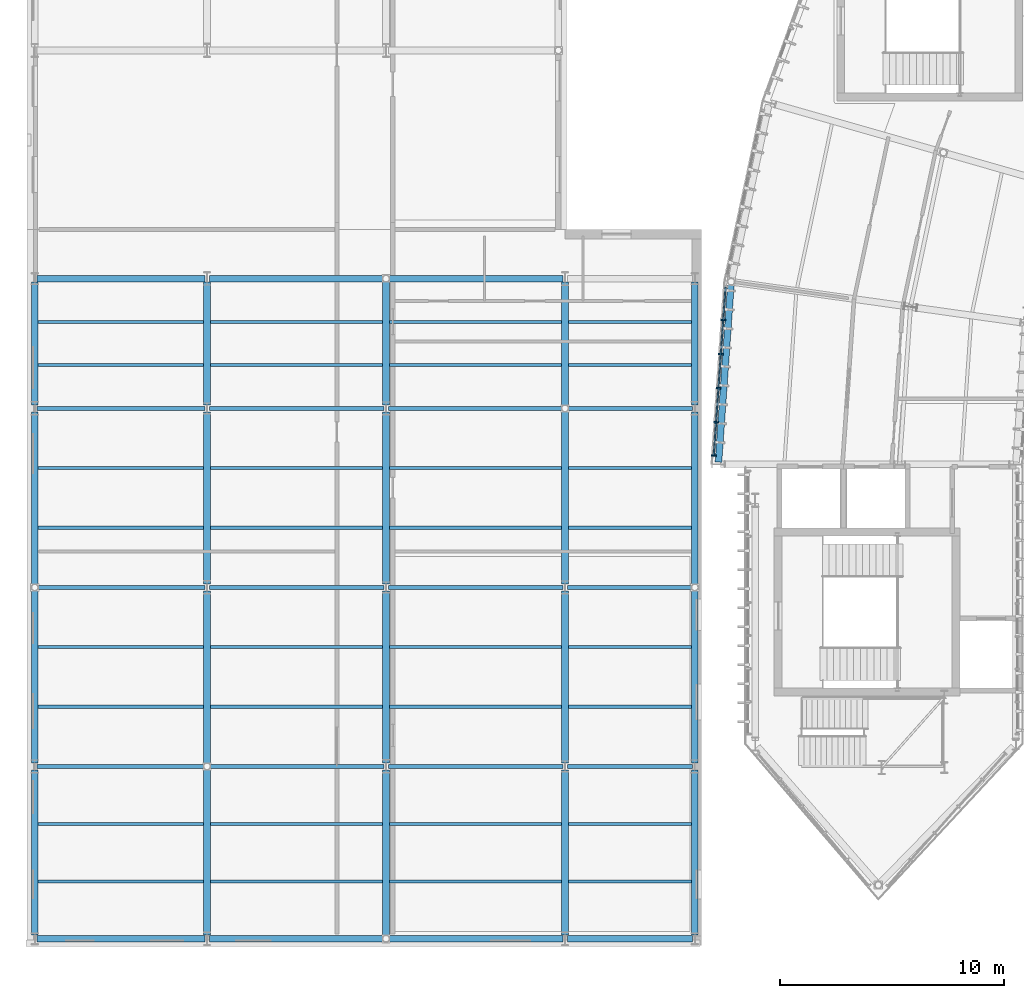
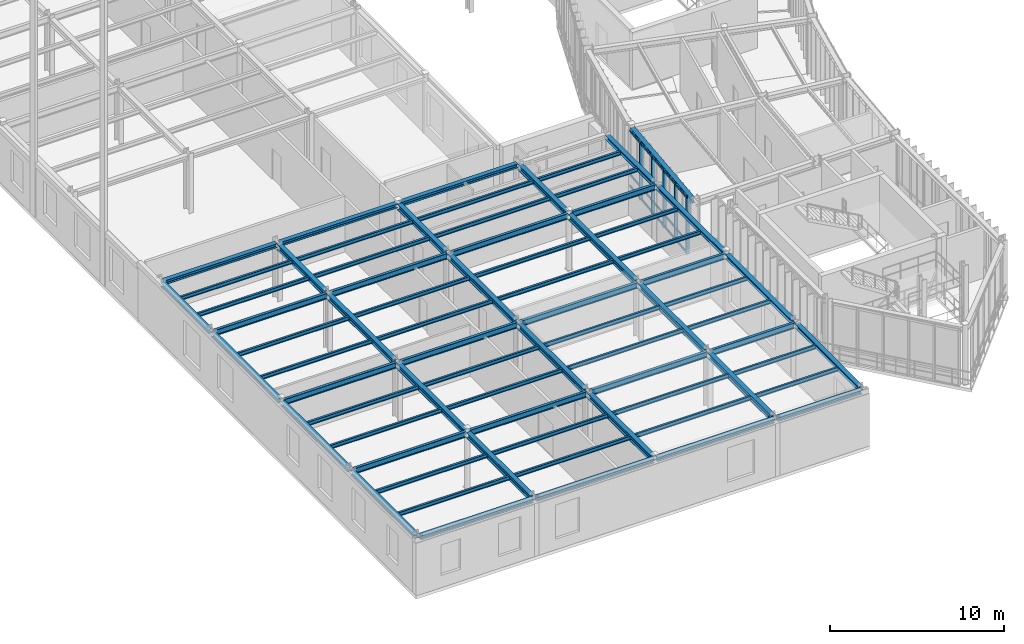
# One storey, part 17 of 148: 72 beams, 8 members, 1 element without a shape of its own.
"""IFC4 building model written with IfcOpenShell, lengths in metres."""

import ifcopenshell
import ifcopenshell.guid

model = None  # the IFC model being written
_history = None  # IfcOwnerHistory: only IFC2X3 demands one
_inside = {}  # id of a spatial element -> (the spatial element, [elements in it])
_under = {}  # id of a project, library or spatial element -> (it, [spatial elements below it])
_declared = {}  # id of a project -> (the project, [libraries it declares])
_typed = {}  # id of a type object -> (the type object, [elements of that type])
_made_of = {}  # id of a material, layer set ... -> (it, [elements and type objects made of it])


def new_model(schema):
    """Start an empty IFC model of exactly this schema.

    Asked for "IFC4X3", IfcOpenShell would pick the latest addendum, in which some entities
    have other attributes; the version numbers below select the first issue.
    IFC2X3 requires an IfcOwnerHistory on every rooted entity: one is made here for all.
    """
    global model, _history
    if schema == "IFC4X3":
        model = ifcopenshell.file(schema_version=(4, 3, 0, 0))
    else:
        model = ifcopenshell.file(schema=schema)
    _inside.clear()
    _under.clear()
    _declared.clear()
    _typed.clear()
    _made_of.clear()
    _history = None
    if model.schema == "IFC2X3":
        org = make("IfcOrganization", Name="unknown")
        user = make(
            "IfcPersonAndOrganization",
            ThePerson=make("IfcPerson", FamilyName="unknown"),
            TheOrganization=org,
        )
        app = make(
            "IfcApplication",
            ApplicationDeveloper=org,
            Version="unknown",
            ApplicationFullName="unknown",
            ApplicationIdentifier="unknown",
        )
        _history = make(
            "IfcOwnerHistory",
            OwningUser=user,
            OwningApplication=app,
            ChangeAction="ADDED",
            CreationDate=0,
        )
    return model


def make(cls, **values):
    """One entity of the class cls with the attributes given. An attribute that is None is left unset."""
    return model.create_entity(
        cls, **{name: value for name, value in values.items() if value is not None}
    )


def rooted(cls, **values):
    """An entity with a GlobalId (a new one), such as an element, a storey or a relation."""
    return make(cls, GlobalId=ifcopenshell.guid.new(), OwnerHistory=_history, **values)


def si_unit(unit_type, name, prefix=None):
    """IfcSIUnit, for example si_unit("LENGTHUNIT", "METRE", prefix="MILLI")."""
    return make("IfcSIUnit", UnitType=unit_type, Prefix=prefix, Name=name)


def assignment(units):
    """IfcUnitAssignment: the units of a project."""
    return None if units is None else make("IfcUnitAssignment", Units=units)


def point(xyz):
    """IfcCartesianPoint."""
    return None if xyz is None else make("IfcCartesianPoint", Coordinates=xyz)


def direction(xyz):
    """IfcDirection."""
    return None if xyz is None else make("IfcDirection", DirectionRatios=xyz)


def frame(location, z_axis=None, x_axis=None):
    """IfcAxis2Placement3D, a coordinate frame: its origin and axes. An axis left out is left unset."""
    return make(
        "IfcAxis2Placement3D",
        Location=point(location),
        Axis=direction(z_axis),
        RefDirection=direction(x_axis),
    )


def frame_2d(location, x_axis=None):
    """IfcAxis2Placement2D, a coordinate frame in the plane: its origin and x axis."""
    return make(
        "IfcAxis2Placement2D", Location=point(location), RefDirection=direction(x_axis)
    )


def origin():
    """The frame at (0, 0, 0) with its axes left unset."""
    return frame((0.0, 0.0, 0.0))


def origin_2d():
    """The frame at (0, 0) in the plane with its x axis left unset."""
    return frame_2d((0.0, 0.0))


def place(relative_to, where):
    """IfcLocalPlacement: puts the frame where relative to a parent placement (None: the world)."""
    return make(
        "IfcLocalPlacement", PlacementRelTo=relative_to, RelativePlacement=where
    )


def context(
    kind, dimensions, precision=None, world=None, true_north=None, identifier=None
):
    """IfcGeometricRepresentationContext, for example the 3D "Model" context."""
    return make(
        "IfcGeometricRepresentationContext",
        ContextIdentifier=identifier,
        ContextType=kind,
        CoordinateSpaceDimension=dimensions,
        Precision=precision,
        WorldCoordinateSystem=world,
        TrueNorth=true_north,
    )


def subcontext(parent, identifier, kind, view, scale=None):
    """IfcGeometricRepresentationSubContext, for example "Body" below "Model"."""
    return make(
        "IfcGeometricRepresentationSubContext",
        ContextIdentifier=identifier,
        ContextType=kind,
        ParentContext=parent,
        TargetScale=scale,
        TargetView=view,
    )


def project(units=None, contexts=None):
    """IfcProject with its units and contexts."""
    return rooted(
        "IfcProject",
        Name="project",
        RepresentationContexts=contexts,
        UnitsInContext=assignment(units),
    )


def spatial(cls, under=None, at=None, **own):
    """A site, building, storey or space (cls), placed at a placement, below another one or the project."""
    s = rooted(cls, ObjectPlacement=at, **own)
    if under is not None:
        _under.setdefault(under.id(), (under, []))[1].append(s)
    return s


def profile(cls, at=None, kind="AREA", **sizes):
    """A parametric profile (cls). Its sizes go by their IFC names, for example OverallWidth=200.0."""
    return make(cls, ProfileType=kind, Position=at, **sizes)


def rectangle(**sizes):
    """IfcRectangleProfileDef."""
    return profile("IfcRectangleProfileDef", **sizes)


def i_section(**sizes):
    """IfcIShapeProfileDef."""
    return profile("IfcIShapeProfileDef", **sizes)


def extrude(swept, where, along, depth):
    """IfcExtrudedAreaSolid: the profile swept, set in the frame where, extruded along a direction by depth."""
    return make(
        "IfcExtrudedAreaSolid",
        SweptArea=swept,
        Position=where,
        ExtrudedDirection=direction(along),
        Depth=depth,
    )


def shape(context_of_items, identifier, shape_type, items):
    """IfcShapeRepresentation: the items that make up one representation, for example the "Body"."""
    return make(
        "IfcShapeRepresentation",
        ContextOfItems=context_of_items,
        RepresentationIdentifier=identifier,
        RepresentationType=shape_type,
        Items=items,
    )


def material(Name=None, Category=None):
    """IfcMaterial."""
    return make("IfcMaterial", Name=Name, Category=Category)


def layer(
    of_material, thickness, ventilated=None, Name=None, Category=None, Priority=None
):
    """IfcMaterialLayer: one layer of a wall or slab, of a material (None: an air gap)."""
    return make(
        "IfcMaterialLayer",
        Material=of_material,
        LayerThickness=thickness,
        IsVentilated=ventilated,
        Name=Name,
        Category=Category,
        Priority=Priority,
    )


def layer_set(layers, Name=None):
    """IfcMaterialLayerSet."""
    return make("IfcMaterialLayerSet", MaterialLayers=layers, LayerSetName=Name)


def material_profile(
    of_material, cross_section, Name=None, Category=None, Priority=None
):
    """IfcMaterialProfile: a cross section and its material."""
    return make(
        "IfcMaterialProfile",
        Name=Name,
        Material=of_material,
        Profile=cross_section,
        Priority=Priority,
        Category=Category,
    )


def profile_set(profiles, Name=None, composite=None):
    """IfcMaterialProfileSet."""
    return make(
        "IfcMaterialProfileSet",
        Name=Name,
        MaterialProfiles=profiles,
        CompositeProfile=composite,
    )


def made_of(thing, what):
    """Note that an element or type object is made of a material, layer set ...; save() writes the relation."""
    if what is not None:
        _made_of.setdefault(what.id(), (what, []))[1].append(thing)
    return thing


def type_object(cls, material=None, **own):
    """A type object (cls), such as IfcWallType, which elements share."""
    return made_of(rooted(cls, **own), material)


def element(
    cls,
    number,
    at=None,
    inside=None,
    cuts=None,
    type_object=None,
    material=None,
    context=None,
    identifier="Body",
    shape_type=None,
    held_by="IfcProductDefinitionShape",
    body=None,
    shapes=None,
    **own,
):
    """One element of the class cls, such as IfcWall. Its Tag is "e" and its number.

    at: its placement. inside: the storey or other place that contains it. cuts: it is an
    opening in that element (IfcRelVoidsElement). A single representation is given by context,
    identifier, shape_type and body (its items); several are given by shapes. held_by: the class
    of the entity that holds the representations. save() writes the other relations.
    """
    e = rooted(cls, Tag="e%d" % number, ObjectPlacement=at, **own)
    if body is not None:
        shapes = [shape(context, identifier, shape_type, body)]
    if shapes is not None:
        e.Representation = make(held_by, Representations=shapes)
    if inside is not None:
        _inside.setdefault(inside.id(), (inside, []))[1].append(e)
    if cuts is not None:
        rooted(
            "IfcRelVoidsElement", RelatingBuildingElement=cuts, RelatedOpeningElement=e
        )
    if type_object is not None:
        _typed.setdefault(type_object.id(), (type_object, []))[1].append(e)
    return made_of(e, material)


def aggregate(whole, parts):
    """IfcRelAggregates: a whole, such as a stair, and the parts it consists of."""
    return rooted("IfcRelAggregates", RelatingObject=whole, RelatedObjects=parts)


def save(model, path):
    """Write the relations noted so far, then the file.

    IfcRelAggregates (storeys below a building ...), IfcRelContainedInSpatialStructure (elements
    in a storey), IfcRelDefinesByType, IfcRelAssociatesMaterial and IfcRelDeclares: one each for
    every whole, place, type object, material and project.
    """
    for whole, parts in _under.values():
        aggregate(whole, parts)
    for where, things in _inside.values():
        rooted(
            "IfcRelContainedInSpatialStructure",
            RelatedElements=things,
            RelatingStructure=where,
        )
    for kind, things in _typed.values():
        rooted("IfcRelDefinesByType", RelatedObjects=things, RelatingType=kind)
    for what, things in _made_of.values():
        rooted("IfcRelAssociatesMaterial", RelatedObjects=things, RelatingMaterial=what)
    for by, libraries in _declared.values():
        rooted("IfcRelDeclares", RelatingContext=by, RelatedDefinitions=libraries)
    model.write(path)


model = new_model("IFC4")

# Units and contexts
model_context = context("Model", 3, precision=1e-05, world=origin(), true_north=direction((0.0, 1.0)))
body_context = subcontext(model_context, "Body", "Model", "MODEL_VIEW")
ifc_project = project(units=[si_unit("LENGTHUNIT", "METRE"), si_unit("AREAUNIT", "SQUARE_METRE"), si_unit("VOLUMEUNIT", "CUBIC_METRE"), si_unit("PLANEANGLEUNIT", "RADIAN"), si_unit("MASSUNIT", "GRAM", prefix="KILO"), si_unit("THERMODYNAMICTEMPERATUREUNIT", "KELVIN"), si_unit("POWERUNIT", "WATT")], contexts=[model_context])

# Site, building, storey
site_placement = place(None, origin())
site = spatial("IfcSite", under=ifc_project, at=site_placement, CompositionType="ELEMENT")
building_placement = place(site_placement, origin())
building = spatial("IfcBuilding", under=site, at=building_placement, Name="Solvatero Civic Police Headquarters", CompositionType="ELEMENT")
storey_placement = place(building_placement, frame((0.0, 0.0, 5.10009765625)))
storey = spatial("IfcBuildingStorey", under=building, at=storey_placement, Name="L01", CompositionType="ELEMENT", Elevation=5.10009765625)

# Beams
ifc_material_1 = material(Name="Steel S355", Category="steel")
ifc_material_profile_1 = material_profile(ifc_material_1, i_section(OverallWidth=0.300048828125, OverallDepth=0.2900390625, WebThickness=0.008544921875, FlangeThickness=0.013916015625, FilletRadius=0.027099609375, at=origin_2d()), Name="HEA 300")
ifc_profile_set_1 = profile_set([ifc_material_profile_1], Name="Steel S355")
beam_type_1 = type_object("IfcBeamType", Name="BM-ST-HEA300", PredefinedType="SPANDREL", material=ifc_profile_set_1)
beam_1_placement = place(storey_placement, frame((4.89990234375, 4.800048828125, 3.8349609375), z_axis=(1.0, 0.0, 0.0), x_axis=(0.0, 1.0, 0.0)))
element("IfcBeam", 1, at=beam_1_placement, inside=storey, type_object=beam_type_1, Name="Perimeter / radial spandrel beam BM-R2-L01-V4-GX-1-1", PredefinedType="SPANDREL", context=body_context, shape_type="SweptSolid", body=[
    extrude(i_section(OverallWidth=0.300048828125, OverallDepth=0.2900390625, WebThickness=0.008544921875, FlangeThickness=0.013916015625, FilletRadius=0.027099609375, at=origin_2d()), origin(), (0.0, 0.0, 1.0), 7.5),
])
for number, where, z_axis, x_axis, name in (
    (2, (12.60009765625, 4.800048828125, 3.8349609375), (1.0, 0.0, 0.0), (0.0, 1.0, 0.0), "Perimeter / radial spandrel beam BM-R2-L01-V4-GX-2-1"),
    (3, (20.60009765625, 4.800048828125, 3.8349609375), (1.0, 0.0, 0.0), (0.0, 1.0, 0.0), "Perimeter / radial spandrel beam BM-R2-L01-V4-GX-3-1"),
):
    element("IfcBeam", number, at=place(storey_placement, frame(where, z_axis=z_axis, x_axis=x_axis)), inside=storey, type_object=beam_type_1, Name=name, PredefinedType="SPANDREL", context=body_context, shape_type="SweptSolid", body=[
        extrude(i_section(OverallWidth=0.300048828125, OverallDepth=0.2900390625, WebThickness=0.008544921875, FlangeThickness=0.013916015625, FilletRadius=0.027099609375, at=origin_2d()), origin(), (0.0, 0.0, 1.0), 7.7998046875),
    ])
beam_2_placement = place(storey_placement, frame((28.60009765625, 4.800048828125, 3.8349609375), z_axis=(1.0, 0.0, 0.0), x_axis=(0.0, 1.0, 0.0)))
element("IfcBeam", 4, at=beam_2_placement, inside=storey, type_object=beam_type_1, Name="Perimeter / radial spandrel beam BM-R2-L01-V4-GX-4-1", PredefinedType="SPANDREL", context=body_context, shape_type="SweptSolid", body=[
    extrude(i_section(OverallWidth=0.300048828125, OverallDepth=0.2900390625, WebThickness=0.008544921875, FlangeThickness=0.013916015625, FilletRadius=0.027099609375, at=origin_2d()), origin(), (0.0, 0.0, 1.0), 5.599853515625),
])
beam_3_placement = place(storey_placement, frame((4.89990234375, 34.300048828125, 3.8349609375), z_axis=(1.0, 0.0, 0.0), x_axis=(0.0, 1.0, 0.0)))
element("IfcBeam", 5, at=beam_3_placement, inside=storey, type_object=beam_type_1, Name="Perimeter / radial spandrel beam BM-R2-L01-V4-GX-1-5", PredefinedType="SPANDREL", context=body_context, shape_type="SweptSolid", body=[
    extrude(i_section(OverallWidth=0.300048828125, OverallDepth=0.2900390625, WebThickness=0.008544921875, FlangeThickness=0.013916015625, FilletRadius=0.027099609375, at=origin_2d()), origin(), (0.0, 0.0, 1.0), 7.5),
])
for number, where, z_axis, x_axis, name in (
    (6, (12.60009765625, 34.300048828125, 3.8349609375), (1.0, 0.0, 0.0), (0.0, 1.0, 0.0), "Perimeter / radial spandrel beam BM-R2-L01-V4-GX-2-5"),
    (7, (20.60009765625, 34.300048828125, 3.8349609375), (1.0, 0.0, 0.0), (0.0, 1.0, 0.0), "Perimeter / radial spandrel beam BM-R2-L01-V4-GX-3-5"),
):
    element("IfcBeam", number, at=place(storey_placement, frame(where, z_axis=z_axis, x_axis=x_axis)), inside=storey, type_object=beam_type_1, Name=name, PredefinedType="SPANDREL", context=body_context, shape_type="SweptSolid", body=[
        extrude(i_section(OverallWidth=0.300048828125, OverallDepth=0.2900390625, WebThickness=0.008544921875, FlangeThickness=0.013916015625, FilletRadius=0.027099609375, at=origin_2d()), origin(), (0.0, 0.0, 1.0), 7.7998046875),
    ])
beam_4_placement = place(storey_placement, frame((4.800048828125, 4.9599609375, 3.8349609375), z_axis=(0.0, 1.0, 0.0), x_axis=(-1.0, 0.0, 0.0)))
element("IfcBeam", 8, at=beam_4_placement, inside=storey, type_object=beam_type_1, Name="Perimeter / radial spandrel beam BM-R2-L01-V4-GY-1-1", PredefinedType="SPANDREL", context=body_context, shape_type="SweptSolid", body=[
    extrude(i_section(OverallWidth=0.300048828125, OverallDepth=0.2900390625, WebThickness=0.008544921875, FlangeThickness=0.013916015625, FilletRadius=0.027099609375, at=origin_2d()), origin(), (0.0, 0.0, 1.0), 7.380126953125),
])
for number, where, z_axis, x_axis, name in (
    (9, (4.800048828125, 12.659912109375, 3.8349609375), (0.0, 1.0, 0.0), (-1.0, 0.0, 0.0), "Perimeter / radial spandrel beam BM-R2-L01-V4-GY-1-2"),
    (10, (4.800048828125, 20.659912109375, 3.8349609375), (0.0, 1.0, 0.0), (-1.0, 0.0, 0.0), "Perimeter / radial spandrel beam BM-R2-L01-V4-GY-1-3"),
):
    element("IfcBeam", number, at=place(storey_placement, frame(where, z_axis=z_axis, x_axis=x_axis)), inside=storey, type_object=beam_type_1, Name=name, PredefinedType="SPANDREL", context=body_context, shape_type="SweptSolid", body=[
        extrude(i_section(OverallWidth=0.300048828125, OverallDepth=0.2900390625, WebThickness=0.008544921875, FlangeThickness=0.013916015625, FilletRadius=0.027099609375, at=origin_2d()), origin(), (0.0, 0.0, 1.0), 7.68017578125),
    ])
beam_5_placement = place(storey_placement, frame((4.800048828125, 28.659912109375, 3.8349609375), z_axis=(0.0, 1.0, 0.0), x_axis=(-1.0, 0.0, 0.0)))
element("IfcBeam", 11, at=beam_5_placement, inside=storey, type_object=beam_type_1, Name="Perimeter / radial spandrel beam BM-R2-L01-V4-GY-1-4", PredefinedType="SPANDREL", context=body_context, shape_type="SweptSolid", body=[
    extrude(i_section(OverallWidth=0.300048828125, OverallDepth=0.2900390625, WebThickness=0.008544921875, FlangeThickness=0.013916015625, FilletRadius=0.027099609375, at=origin_2d()), origin(), (0.0, 0.0, 1.0), 5.47998046875),
])
beam_6_placement = place(storey_placement, frame((34.300048828125, 4.9599609375, 3.8349609375), z_axis=(0.0, 1.0, 0.0), x_axis=(-1.0, 0.0, 0.0)))
element("IfcBeam", 12, at=beam_6_placement, inside=storey, type_object=beam_type_1, Name="Perimeter / radial spandrel beam BM-R2-L01-V4-GY-5-1", PredefinedType="SPANDREL", context=body_context, shape_type="SweptSolid", body=[
    extrude(i_section(OverallWidth=0.300048828125, OverallDepth=0.2900390625, WebThickness=0.008544921875, FlangeThickness=0.013916015625, FilletRadius=0.027099609375, at=origin_2d()), origin(), (0.0, 0.0, 1.0), 7.380126953125),
])
for number, where, z_axis, x_axis, name in (
    (13, (34.300048828125, 12.659912109375, 3.8349609375), (0.0, 1.0, 0.0), (-1.0, 0.0, 0.0), "Perimeter / radial spandrel beam BM-R2-L01-V4-GY-5-2"),
    (14, (34.300048828125, 20.659912109375, 3.8349609375), (0.0, 1.0, 0.0), (-1.0, 0.0, 0.0), "Perimeter / radial spandrel beam BM-R2-L01-V4-GY-5-3"),
):
    element("IfcBeam", number, at=place(storey_placement, frame(where, z_axis=z_axis, x_axis=x_axis)), inside=storey, type_object=beam_type_1, Name=name, PredefinedType="SPANDREL", context=body_context, shape_type="SweptSolid", body=[
        extrude(i_section(OverallWidth=0.300048828125, OverallDepth=0.2900390625, WebThickness=0.008544921875, FlangeThickness=0.013916015625, FilletRadius=0.027099609375, at=origin_2d()), origin(), (0.0, 0.0, 1.0), 7.68017578125),
    ])
beam_7_placement = place(storey_placement, frame((34.300048828125, 28.659912109375, 3.8349609375), z_axis=(0.0, 1.0, 0.0), x_axis=(-1.0, 0.0, 0.0)))
element("IfcBeam", 15, at=beam_7_placement, inside=storey, type_object=beam_type_1, Name="Perimeter / radial spandrel beam BM-R2-L01-V4-GY-5-4", PredefinedType="SPANDREL", context=body_context, shape_type="SweptSolid", body=[
    extrude(i_section(OverallWidth=0.300048828125, OverallDepth=0.2900390625, WebThickness=0.008544921875, FlangeThickness=0.013916015625, FilletRadius=0.027099609375, at=origin_2d()), origin(), (0.0, 0.0, 1.0), 5.47998046875),
])
ifc_material_profile_2 = material_profile(ifc_material_1, i_section(OverallWidth=0.300048828125, OverallDepth=0.31005859375, WebThickness=0.009033203125, FlangeThickness=0.015380859375, FilletRadius=0.027099609375, at=origin_2d()), Name="HEA 320")
ifc_profile_set_2 = profile_set([ifc_material_profile_2], Name="Steel S355")
beam_type_2 = type_object("IfcBeamType", Name="BM-ST-HEA320", PredefinedType="SPANDREL", material=ifc_profile_set_2)
beam_8_placement = place(storey_placement, frame((35.913818359375, 34.062744140625, 3.824951171875), z_axis=(-0.06976460332, -0.997563481751, 0.0), x_axis=(0.997563481751, -0.06976460332, 0.0)))
element("IfcBeam", 16, at=beam_8_placement, inside=storey, type_object=beam_type_2, Name="Perimeter / radial spandrel beam BM-R2-L01-ARC-COUT-B12", PredefinedType="SPANDREL", context=body_context, shape_type="SweptSolid", body=[
    extrude(i_section(OverallWidth=0.300048828125, OverallDepth=0.31005859375, WebThickness=0.009033203125, FlangeThickness=0.015380859375, FilletRadius=0.027099609375, at=origin_2d()), origin(), (0.0, 0.0, 1.0), 7.982421875),
])
ifc_material_profile_3 = material_profile(ifc_material_1, i_section(OverallWidth=0.300048828125, OverallDepth=0.389892578125, WebThickness=0.010986328125, FlangeThickness=0.01904296875, FilletRadius=0.027099609375, at=origin_2d()), Name="HEA 400")
ifc_profile_set_3 = profile_set([ifc_material_profile_3], Name="Steel S355")
beam_type_3 = type_object("IfcBeamType", Name="BM-ST-HEA400", PredefinedType="BEAM", material=ifc_profile_set_3)
beam_9_placement = place(storey_placement, frame((12.5, 4.9599609375, 3.784912109375), z_axis=(0.0, 1.0, 0.0), x_axis=(-1.0, 0.0, 0.0)))
element("IfcBeam", 17, at=beam_9_placement, inside=storey, type_object=beam_type_3, Name="Primary girder BM-R2-L01-V4-GY-2-1", PredefinedType="BEAM", context=body_context, shape_type="SweptSolid", body=[
    extrude(i_section(OverallWidth=0.300048828125, OverallDepth=0.389892578125, WebThickness=0.010986328125, FlangeThickness=0.01904296875, FilletRadius=0.027099609375, at=origin_2d()), origin(), (0.0, 0.0, 1.0), 7.380126953125),
])
for number, where, z_axis, x_axis, name in (
    (18, (12.5, 12.659912109375, 3.784912109375), (0.0, 1.0, 0.0), (-1.0, 0.0, 0.0), "Primary girder BM-R2-L01-V4-GY-2-2"),
    (19, (12.5, 20.659912109375, 3.784912109375), (0.0, 1.0, 0.0), (-1.0, 0.0, 0.0), "Primary girder BM-R2-L01-V4-GY-2-3"),
):
    element("IfcBeam", number, at=place(storey_placement, frame(where, z_axis=z_axis, x_axis=x_axis)), inside=storey, type_object=beam_type_3, Name=name, PredefinedType="BEAM", context=body_context, shape_type="SweptSolid", body=[
        extrude(i_section(OverallWidth=0.300048828125, OverallDepth=0.389892578125, WebThickness=0.010986328125, FlangeThickness=0.01904296875, FilletRadius=0.027099609375, at=origin_2d()), origin(), (0.0, 0.0, 1.0), 7.68017578125),
    ])
beam_10_placement = place(storey_placement, frame((12.5, 28.659912109375, 3.784912109375), z_axis=(0.0, 1.0, 0.0), x_axis=(-1.0, 0.0, 0.0)))
element("IfcBeam", 20, at=beam_10_placement, inside=storey, type_object=beam_type_3, Name="Primary girder BM-R2-L01-V4-GY-2-4", PredefinedType="BEAM", context=body_context, shape_type="SweptSolid", body=[
    extrude(i_section(OverallWidth=0.300048828125, OverallDepth=0.389892578125, WebThickness=0.010986328125, FlangeThickness=0.01904296875, FilletRadius=0.027099609375, at=origin_2d()), origin(), (0.0, 0.0, 1.0), 5.47998046875),
])
beam_11_placement = place(storey_placement, frame((20.5, 4.9599609375, 3.784912109375), z_axis=(0.0, 1.0, 0.0), x_axis=(-1.0, 0.0, 0.0)))
element("IfcBeam", 21, at=beam_11_placement, inside=storey, type_object=beam_type_3, Name="Primary girder BM-R2-L01-V4-GY-3-1", PredefinedType="BEAM", context=body_context, shape_type="SweptSolid", body=[
    extrude(i_section(OverallWidth=0.300048828125, OverallDepth=0.389892578125, WebThickness=0.010986328125, FlangeThickness=0.01904296875, FilletRadius=0.027099609375, at=origin_2d()), origin(), (0.0, 0.0, 1.0), 7.380126953125),
])
for number, where, z_axis, x_axis, name in (
    (22, (20.5, 12.659912109375, 3.784912109375), (0.0, 1.0, 0.0), (-1.0, 0.0, 0.0), "Primary girder BM-R2-L01-V4-GY-3-2"),
    (23, (20.5, 20.659912109375, 3.784912109375), (0.0, 1.0, 0.0), (-1.0, 0.0, 0.0), "Primary girder BM-R2-L01-V4-GY-3-3"),
):
    element("IfcBeam", number, at=place(storey_placement, frame(where, z_axis=z_axis, x_axis=x_axis)), inside=storey, type_object=beam_type_3, Name=name, PredefinedType="BEAM", context=body_context, shape_type="SweptSolid", body=[
        extrude(i_section(OverallWidth=0.300048828125, OverallDepth=0.389892578125, WebThickness=0.010986328125, FlangeThickness=0.01904296875, FilletRadius=0.027099609375, at=origin_2d()), origin(), (0.0, 0.0, 1.0), 7.68017578125),
    ])
beam_12_placement = place(storey_placement, frame((20.5, 28.659912109375, 3.784912109375), z_axis=(0.0, 1.0, 0.0), x_axis=(-1.0, 0.0, 0.0)))
element("IfcBeam", 24, at=beam_12_placement, inside=storey, type_object=beam_type_3, Name="Primary girder BM-R2-L01-V4-GY-3-4", PredefinedType="BEAM", context=body_context, shape_type="SweptSolid", body=[
    extrude(i_section(OverallWidth=0.300048828125, OverallDepth=0.389892578125, WebThickness=0.010986328125, FlangeThickness=0.01904296875, FilletRadius=0.027099609375, at=origin_2d()), origin(), (0.0, 0.0, 1.0), 5.47998046875),
])
beam_13_placement = place(storey_placement, frame((28.5, 4.9599609375, 3.784912109375), z_axis=(0.0, 1.0, 0.0), x_axis=(-1.0, 0.0, 0.0)))
element("IfcBeam", 25, at=beam_13_placement, inside=storey, type_object=beam_type_3, Name="Primary girder BM-R2-L01-V4-GY-4-1", PredefinedType="BEAM", context=body_context, shape_type="SweptSolid", body=[
    extrude(i_section(OverallWidth=0.300048828125, OverallDepth=0.389892578125, WebThickness=0.010986328125, FlangeThickness=0.01904296875, FilletRadius=0.027099609375, at=origin_2d()), origin(), (0.0, 0.0, 1.0), 7.380126953125),
])
for number, where, z_axis, x_axis, name in (
    (26, (28.5, 12.659912109375, 3.784912109375), (0.0, 1.0, 0.0), (-1.0, 0.0, 0.0), "Primary girder BM-R2-L01-V4-GY-4-2"),
    (27, (28.5, 20.659912109375, 3.784912109375), (0.0, 1.0, 0.0), (-1.0, 0.0, 0.0), "Primary girder BM-R2-L01-V4-GY-4-3"),
):
    element("IfcBeam", number, at=place(storey_placement, frame(where, z_axis=z_axis, x_axis=x_axis)), inside=storey, type_object=beam_type_3, Name=name, PredefinedType="BEAM", context=body_context, shape_type="SweptSolid", body=[
        extrude(i_section(OverallWidth=0.300048828125, OverallDepth=0.389892578125, WebThickness=0.010986328125, FlangeThickness=0.01904296875, FilletRadius=0.027099609375, at=origin_2d()), origin(), (0.0, 0.0, 1.0), 7.68017578125),
    ])
beam_14_placement = place(storey_placement, frame((28.5, 28.659912109375, 3.784912109375), z_axis=(0.0, 1.0, 0.0), x_axis=(-1.0, 0.0, 0.0)))
element("IfcBeam", 28, at=beam_14_placement, inside=storey, type_object=beam_type_3, Name="Primary girder BM-R2-L01-V4-GY-4-4", PredefinedType="BEAM", context=body_context, shape_type="SweptSolid", body=[
    extrude(i_section(OverallWidth=0.300048828125, OverallDepth=0.389892578125, WebThickness=0.010986328125, FlangeThickness=0.01904296875, FilletRadius=0.027099609375, at=origin_2d()), origin(), (0.0, 0.0, 1.0), 5.47998046875),
])
ifc_material_profile_4 = material_profile(ifc_material_1, i_section(OverallWidth=0.135009765625, OverallDepth=0.27001953125, WebThickness=0.006591796875, FlangeThickness=0.01025390625, FilletRadius=0.014892578125, at=origin_2d()), Name="IPE 270")
ifc_profile_set_4 = profile_set([ifc_material_profile_4], Name="Steel S355")
beam_type_4 = type_object("IfcBeamType", Name="BM-ST-IPE270", PredefinedType="BEAM", material=ifc_profile_set_4)
for number, where, z_axis, x_axis, name in (
    (29, (4.949951171875, 7.36669921875, 3.844970703125), (1.0, 0.0, 0.0), (0.0, 1.0, 0.0), "Composite floor beam BM-R2-L01-V4-SEC-1-1-S1"),
    (30, (4.949951171875, 9.933349609375, 3.844970703125), (1.0, 0.0, 0.0), (0.0, 1.0, 0.0), "Composite floor beam BM-R2-L01-V4-SEC-1-1-S2"),
    (31, (4.949951171875, 15.166748046875, 3.844970703125), (1.0, 0.0, 0.0), (0.0, 1.0, 0.0), "Composite floor beam BM-R2-L01-V4-SEC-1-2-S1"),
    (32, (4.949951171875, 17.833251953125, 3.844970703125), (1.0, 0.0, 0.0), (0.0, 1.0, 0.0), "Composite floor beam BM-R2-L01-V4-SEC-1-2-S2"),
    (33, (4.949951171875, 23.166748046875, 3.844970703125), (1.0, 0.0, 0.0), (0.0, 1.0, 0.0), "Composite floor beam BM-R2-L01-V4-SEC-1-3-S1"),
    (34, (4.949951171875, 25.833251953125, 3.844970703125), (1.0, 0.0, 0.0), (0.0, 1.0, 0.0), "Composite floor beam BM-R2-L01-V4-SEC-1-3-S2"),
    (35, (4.949951171875, 30.433349609375, 3.844970703125), (1.0, 0.0, 0.0), (0.0, 1.0, 0.0), "Composite floor beam BM-R2-L01-V4-SEC-1-4-S1"),
    (36, (4.949951171875, 32.36669921875, 3.844970703125), (1.0, 0.0, 0.0), (0.0, 1.0, 0.0), "Composite floor beam BM-R2-L01-V4-SEC-1-4-S2"),
):
    element("IfcBeam", number, at=place(storey_placement, frame(where, z_axis=z_axis, x_axis=x_axis)), inside=storey, type_object=beam_type_4, Name=name, PredefinedType="BEAM", context=body_context, shape_type="SweptSolid", body=[
        extrude(i_section(OverallWidth=0.135009765625, OverallDepth=0.27001953125, WebThickness=0.006591796875, FlangeThickness=0.01025390625, FilletRadius=0.014892578125, at=origin_2d()), origin(), (0.0, 0.0, 1.0), 7.400146484375),
    ])
for number, where, z_axis, x_axis, name in (
    (37, (12.64990234375, 7.36669921875, 3.844970703125), (1.0, 0.0, 0.0), (0.0, 1.0, 0.0), "Composite floor beam BM-R2-L01-V4-SEC-2-1-S1"),
    (38, (12.64990234375, 9.933349609375, 3.844970703125), (1.0, 0.0, 0.0), (0.0, 1.0, 0.0), "Composite floor beam BM-R2-L01-V4-SEC-2-1-S2"),
    (39, (12.64990234375, 15.166748046875, 3.844970703125), (1.0, 0.0, 0.0), (0.0, 1.0, 0.0), "Composite floor beam BM-R2-L01-V4-SEC-2-2-S1"),
    (40, (12.64990234375, 17.833251953125, 3.844970703125), (1.0, 0.0, 0.0), (0.0, 1.0, 0.0), "Composite floor beam BM-R2-L01-V4-SEC-2-2-S2"),
    (41, (12.64990234375, 23.166748046875, 3.844970703125), (1.0, 0.0, 0.0), (0.0, 1.0, 0.0), "Composite floor beam BM-R2-L01-V4-SEC-2-3-S1"),
    (42, (12.64990234375, 25.833251953125, 3.844970703125), (1.0, 0.0, 0.0), (0.0, 1.0, 0.0), "Composite floor beam BM-R2-L01-V4-SEC-2-3-S2"),
    (43, (12.64990234375, 30.433349609375, 3.844970703125), (1.0, 0.0, 0.0), (0.0, 1.0, 0.0), "Composite floor beam BM-R2-L01-V4-SEC-2-4-S1"),
    (44, (12.64990234375, 32.36669921875, 3.844970703125), (1.0, 0.0, 0.0), (0.0, 1.0, 0.0), "Composite floor beam BM-R2-L01-V4-SEC-2-4-S2"),
    (45, (20.64990234375, 7.36669921875, 3.844970703125), (1.0, 0.0, 0.0), (0.0, 1.0, 0.0), "Composite floor beam BM-R2-L01-V4-SEC-3-1-S1"),
    (46, (20.64990234375, 9.933349609375, 3.844970703125), (1.0, 0.0, 0.0), (0.0, 1.0, 0.0), "Composite floor beam BM-R2-L01-V4-SEC-3-1-S2"),
    (47, (20.64990234375, 15.166748046875, 3.844970703125), (1.0, 0.0, 0.0), (0.0, 1.0, 0.0), "Composite floor beam BM-R2-L01-V4-SEC-3-2-S1"),
    (48, (20.64990234375, 17.833251953125, 3.844970703125), (1.0, 0.0, 0.0), (0.0, 1.0, 0.0), "Composite floor beam BM-R2-L01-V4-SEC-3-2-S2"),
    (49, (20.64990234375, 23.166748046875, 3.844970703125), (1.0, 0.0, 0.0), (0.0, 1.0, 0.0), "Composite floor beam BM-R2-L01-V4-SEC-3-3-S1"),
    (50, (20.64990234375, 25.833251953125, 3.844970703125), (1.0, 0.0, 0.0), (0.0, 1.0, 0.0), "Composite floor beam BM-R2-L01-V4-SEC-3-3-S2"),
    (51, (20.64990234375, 30.433349609375, 3.844970703125), (1.0, 0.0, 0.0), (0.0, 1.0, 0.0), "Composite floor beam BM-R2-L01-V4-SEC-3-4-S1"),
    (52, (20.64990234375, 32.36669921875, 3.844970703125), (1.0, 0.0, 0.0), (0.0, 1.0, 0.0), "Composite floor beam BM-R2-L01-V4-SEC-3-4-S2"),
):
    element("IfcBeam", number, at=place(storey_placement, frame(where, z_axis=z_axis, x_axis=x_axis)), inside=storey, type_object=beam_type_4, Name=name, PredefinedType="BEAM", context=body_context, shape_type="SweptSolid", body=[
        extrude(i_section(OverallWidth=0.135009765625, OverallDepth=0.27001953125, WebThickness=0.006591796875, FlangeThickness=0.01025390625, FilletRadius=0.014892578125, at=origin_2d()), origin(), (0.0, 0.0, 1.0), 7.7001953125),
    ])
for number, where, z_axis, x_axis, name in (
    (53, (28.64990234375, 7.36669921875, 3.844970703125), (1.0, 0.0, 0.0), (0.0, 1.0, 0.0), "Composite floor beam BM-R2-L01-V4-SEC-4-1-S1"),
    (54, (28.64990234375, 9.933349609375, 3.844970703125), (1.0, 0.0, 0.0), (0.0, 1.0, 0.0), "Composite floor beam BM-R2-L01-V4-SEC-4-1-S2"),
    (55, (28.64990234375, 15.166748046875, 3.844970703125), (1.0, 0.0, 0.0), (0.0, 1.0, 0.0), "Composite floor beam BM-R2-L01-V4-SEC-4-2-S1"),
    (56, (28.64990234375, 17.833251953125, 3.844970703125), (1.0, 0.0, 0.0), (0.0, 1.0, 0.0), "Composite floor beam BM-R2-L01-V4-SEC-4-2-S2"),
    (57, (28.64990234375, 23.166748046875, 3.844970703125), (1.0, 0.0, 0.0), (0.0, 1.0, 0.0), "Composite floor beam BM-R2-L01-V4-SEC-4-3-S1"),
    (58, (28.64990234375, 25.833251953125, 3.844970703125), (1.0, 0.0, 0.0), (0.0, 1.0, 0.0), "Composite floor beam BM-R2-L01-V4-SEC-4-3-S2"),
    (59, (28.64990234375, 30.433349609375, 3.844970703125), (1.0, 0.0, 0.0), (0.0, 1.0, 0.0), "Composite floor beam BM-R2-L01-V4-SEC-4-4-S1"),
    (60, (28.64990234375, 32.36669921875, 3.844970703125), (1.0, 0.0, 0.0), (0.0, 1.0, 0.0), "Composite floor beam BM-R2-L01-V4-SEC-4-4-S2"),
):
    element("IfcBeam", number, at=place(storey_placement, frame(where, z_axis=z_axis, x_axis=x_axis)), inside=storey, type_object=beam_type_4, Name=name, PredefinedType="BEAM", context=body_context, shape_type="SweptSolid", body=[
        extrude(i_section(OverallWidth=0.135009765625, OverallDepth=0.27001953125, WebThickness=0.006591796875, FlangeThickness=0.01025390625, FilletRadius=0.014892578125, at=origin_2d()), origin(), (0.0, 0.0, 1.0), 5.5),
    ])
ifc_material_profile_5 = material_profile(ifc_material_1, i_section(OverallWidth=0.179931640625, OverallDepth=0.39990234375, WebThickness=0.008544921875, FlangeThickness=0.013427734375, FilletRadius=0.02099609375, at=origin_2d()), Name="IPE 400")
ifc_profile_set_5 = profile_set([ifc_material_profile_5], Name="Steel S355")
beam_type_5 = type_object("IfcBeamType", Name="BM-ST-IPE400", PredefinedType="BEAM", material=ifc_profile_set_5)
beam_15_placement = place(storey_placement, frame((4.89990234375, 12.5, 3.77978515625), z_axis=(1.0, 0.0, 0.0), x_axis=(0.0, 1.0, 0.0)))
element("IfcBeam", 61, at=beam_15_placement, inside=storey, type_object=beam_type_5, Name="Primary girder BM-R2-L01-V4-GX-1-2", PredefinedType="BEAM", context=body_context, shape_type="SweptSolid", body=[
    extrude(i_section(OverallWidth=0.179931640625, OverallDepth=0.39990234375, WebThickness=0.008544921875, FlangeThickness=0.013427734375, FilletRadius=0.02099609375, at=origin_2d()), origin(), (0.0, 0.0, 1.0), 7.5),
])
for number, where, z_axis, x_axis, name in (
    (62, (12.60009765625, 12.5, 3.77978515625), (1.0, 0.0, 0.0), (0.0, 1.0, 0.0), "Primary girder BM-R2-L01-V4-GX-2-2"),
    (63, (20.60009765625, 12.5, 3.77978515625), (1.0, 0.0, 0.0), (0.0, 1.0, 0.0), "Primary girder BM-R2-L01-V4-GX-3-2"),
):
    element("IfcBeam", number, at=place(storey_placement, frame(where, z_axis=z_axis, x_axis=x_axis)), inside=storey, type_object=beam_type_5, Name=name, PredefinedType="BEAM", context=body_context, shape_type="SweptSolid", body=[
        extrude(i_section(OverallWidth=0.179931640625, OverallDepth=0.39990234375, WebThickness=0.008544921875, FlangeThickness=0.013427734375, FilletRadius=0.02099609375, at=origin_2d()), origin(), (0.0, 0.0, 1.0), 7.7998046875),
    ])
beam_16_placement = place(storey_placement, frame((28.60009765625, 12.5, 3.77978515625), z_axis=(1.0, 0.0, 0.0), x_axis=(0.0, 1.0, 0.0)))
element("IfcBeam", 64, at=beam_16_placement, inside=storey, type_object=beam_type_5, Name="Primary girder BM-R2-L01-V4-GX-4-2", PredefinedType="BEAM", context=body_context, shape_type="SweptSolid", body=[
    extrude(i_section(OverallWidth=0.179931640625, OverallDepth=0.39990234375, WebThickness=0.008544921875, FlangeThickness=0.013427734375, FilletRadius=0.02099609375, at=origin_2d()), origin(), (0.0, 0.0, 1.0), 5.599853515625),
])
beam_17_placement = place(storey_placement, frame((4.89990234375, 20.5, 3.77978515625), z_axis=(1.0, 0.0, 0.0), x_axis=(0.0, 1.0, 0.0)))
element("IfcBeam", 65, at=beam_17_placement, inside=storey, type_object=beam_type_5, Name="Primary girder BM-R2-L01-V4-GX-1-3", PredefinedType="BEAM", context=body_context, shape_type="SweptSolid", body=[
    extrude(i_section(OverallWidth=0.179931640625, OverallDepth=0.39990234375, WebThickness=0.008544921875, FlangeThickness=0.013427734375, FilletRadius=0.02099609375, at=origin_2d()), origin(), (0.0, 0.0, 1.0), 7.5),
])
for number, where, z_axis, x_axis, name in (
    (66, (12.60009765625, 20.5, 3.77978515625), (1.0, 0.0, 0.0), (0.0, 1.0, 0.0), "Primary girder BM-R2-L01-V4-GX-2-3"),
    (67, (20.60009765625, 20.5, 3.77978515625), (1.0, 0.0, 0.0), (0.0, 1.0, 0.0), "Primary girder BM-R2-L01-V4-GX-3-3"),
):
    element("IfcBeam", number, at=place(storey_placement, frame(where, z_axis=z_axis, x_axis=x_axis)), inside=storey, type_object=beam_type_5, Name=name, PredefinedType="BEAM", context=body_context, shape_type="SweptSolid", body=[
        extrude(i_section(OverallWidth=0.179931640625, OverallDepth=0.39990234375, WebThickness=0.008544921875, FlangeThickness=0.013427734375, FilletRadius=0.02099609375, at=origin_2d()), origin(), (0.0, 0.0, 1.0), 7.7998046875),
    ])
beam_18_placement = place(storey_placement, frame((28.60009765625, 20.5, 3.77978515625), z_axis=(1.0, 0.0, 0.0), x_axis=(0.0, 1.0, 0.0)))
element("IfcBeam", 68, at=beam_18_placement, inside=storey, type_object=beam_type_5, Name="Primary girder BM-R2-L01-V4-GX-4-3", PredefinedType="BEAM", context=body_context, shape_type="SweptSolid", body=[
    extrude(i_section(OverallWidth=0.179931640625, OverallDepth=0.39990234375, WebThickness=0.008544921875, FlangeThickness=0.013427734375, FilletRadius=0.02099609375, at=origin_2d()), origin(), (0.0, 0.0, 1.0), 5.599853515625),
])
beam_19_placement = place(storey_placement, frame((4.89990234375, 28.5, 3.77978515625), z_axis=(1.0, 0.0, 0.0), x_axis=(0.0, 1.0, 0.0)))
element("IfcBeam", 69, at=beam_19_placement, inside=storey, type_object=beam_type_5, Name="Primary girder BM-R2-L01-V4-GX-1-4", PredefinedType="BEAM", context=body_context, shape_type="SweptSolid", body=[
    extrude(i_section(OverallWidth=0.179931640625, OverallDepth=0.39990234375, WebThickness=0.008544921875, FlangeThickness=0.013427734375, FilletRadius=0.02099609375, at=origin_2d()), origin(), (0.0, 0.0, 1.0), 7.5),
])
for number, where, z_axis, x_axis, name in (
    (70, (12.60009765625, 28.5, 3.77978515625), (1.0, 0.0, 0.0), (0.0, 1.0, 0.0), "Primary girder BM-R2-L01-V4-GX-2-4"),
    (71, (20.60009765625, 28.5, 3.77978515625), (1.0, 0.0, 0.0), (0.0, 1.0, 0.0), "Primary girder BM-R2-L01-V4-GX-3-4"),
):
    element("IfcBeam", number, at=place(storey_placement, frame(where, z_axis=z_axis, x_axis=x_axis)), inside=storey, type_object=beam_type_5, Name=name, PredefinedType="BEAM", context=body_context, shape_type="SweptSolid", body=[
        extrude(i_section(OverallWidth=0.179931640625, OverallDepth=0.39990234375, WebThickness=0.008544921875, FlangeThickness=0.013427734375, FilletRadius=0.02099609375, at=origin_2d()), origin(), (0.0, 0.0, 1.0), 7.7998046875),
    ])
beam_20_placement = place(storey_placement, frame((28.60009765625, 28.5, 3.77978515625), z_axis=(1.0, 0.0, 0.0), x_axis=(0.0, 1.0, 0.0)))
element("IfcBeam", 72, at=beam_20_placement, inside=storey, type_object=beam_type_5, Name="Primary girder BM-R2-L01-V4-GX-4-4", PredefinedType="BEAM", context=body_context, shape_type="SweptSolid", body=[
    extrude(i_section(OverallWidth=0.179931640625, OverallDepth=0.39990234375, WebThickness=0.008544921875, FlangeThickness=0.013427734375, FilletRadius=0.02099609375, at=origin_2d()), origin(), (0.0, 0.0, 1.0), 5.599853515625),
])

# Curtain wall, members
ifc_material_2 = material(Name="Anodized Bronze Aluminium", Category="aluminium")
ifc_layer = layer(ifc_material_2, 0.179931640625)
ifc_layer_set = layer_set([ifc_layer], Name="Anodized Bronze Aluminium")
curtain_wall_type = type_object("IfcCurtainWallType", Name="CW-ARC-OUT", PredefinedType="USERDEFINED", material=ifc_layer_set)
curtain_wall_placement = place(storey_placement, origin())
curtain_wall = element("IfcCurtainWall", 73, at=curtain_wall_placement, inside=storey, type_object=curtain_wall_type, Name="Curtain Wall CW-R2-L01-ARC-OUT-B12", ObjectType="UNITISED", PredefinedType="USERDEFINED")
ifc_material_profile_6 = material_profile(ifc_material_2, rectangle(XDim=0.074951171875, YDim=0.219970703125, at=origin_2d()), Name="ALU MULLION 75x220")
ifc_profile_set_6 = profile_set([ifc_material_profile_6], Name="Anodized Bronze Aluminium")
member_type_1 = type_object("IfcMemberType", Name="CWM-250x85", PredefinedType="MULLION", material=ifc_profile_set_6)
member_1_placement = place(storey_placement, frame((35.5712890625, 32.45263671875, 0.0), z_axis=(0.0, 0.0, 1.0), x_axis=(-0.069756473744, -0.99756405026, 0.0)))
member_1 = element("IfcMember", 74, at=member_1_placement, type_object=member_type_1, Name="CW-R2-L01-ARC-OUT-B12 Mullion 2", PredefinedType="MULLION", context=body_context, shape_type="SweptSolid", body=[
    extrude(rectangle(XDim=0.074951171875, YDim=0.219970703125, at=origin_2d()), origin(), (0.0, 0.0, 1.0), 3.93994140625),
])
member_2_placement = place(storey_placement, frame((35.464599609375, 30.92822265625, 0.0), z_axis=(0.0, 0.0, 1.0), x_axis=(-0.069756473744, -0.99756405026, 0.0)))
member_2 = element("IfcMember", 75, at=member_2_placement, type_object=member_type_1, Name="CW-R2-L01-ARC-OUT-B12 Mullion 3", PredefinedType="MULLION", context=body_context, shape_type="SweptSolid", body=[
    extrude(rectangle(XDim=0.074951171875, YDim=0.219970703125, at=origin_2d()), origin(), (0.0, 0.0, 1.0), 3.93994140625),
])
member_3_placement = place(storey_placement, frame((35.35791015625, 29.40380859375, 0.0), z_axis=(0.0, 0.0, 1.0), x_axis=(-0.069756473744, -0.99756405026, 0.0)))
member_3 = element("IfcMember", 76, at=member_3_placement, type_object=member_type_1, Name="CW-R2-L01-ARC-OUT-B12 Mullion 4", PredefinedType="MULLION", context=body_context, shape_type="SweptSolid", body=[
    extrude(rectangle(XDim=0.074951171875, YDim=0.219970703125, at=origin_2d()), origin(), (0.0, 0.0, 1.0), 3.93994140625),
])
member_4_placement = place(storey_placement, frame((35.25146484375, 27.87939453125, 0.0), z_axis=(0.0, 0.0, 1.0), x_axis=(-0.069756473744, -0.99756405026, 0.0)))
member_4 = element("IfcMember", 77, at=member_4_placement, type_object=member_type_1, Name="CW-R2-L01-ARC-OUT-B12 Mullion 5", PredefinedType="MULLION", context=body_context, shape_type="SweptSolid", body=[
    extrude(rectangle(XDim=0.074951171875, YDim=0.219970703125, at=origin_2d()), origin(), (0.0, 0.0, 1.0), 3.93994140625),
])
member_5_placement = place(storey_placement, frame((35.147705078125, 26.39501953125, 0.0), z_axis=(0.0, 0.0, 1.0), x_axis=(-0.069756473744, -0.99756405026, 0.0)))
member_5 = element("IfcMember", 78, at=member_5_placement, type_object=member_type_1, Name="CW-R2-L01-ARC-OUT-B12 Mullion 6", PredefinedType="MULLION", context=body_context, shape_type="SweptSolid", body=[
    extrude(rectangle(XDim=0.074951171875, YDim=0.219970703125, at=origin_2d()), origin(), (0.0, 0.0, 1.0), 3.93994140625),
])
ifc_material_profile_7 = material_profile(ifc_material_2, rectangle(XDim=0.06494140625, YDim=0.139892578125, at=origin_2d()), Name="ALU TRANSOM 65x140")
ifc_profile_set_7 = profile_set([ifc_material_profile_7], Name="Anodized Bronze Aluminium")
member_type_2 = type_object("IfcMemberType", Name="CWT-180x70", PredefinedType="USERDEFINED", material=ifc_profile_set_7)
member_6_placement = place(storey_placement, frame((35.67431640625, 33.927001953125, 0.039794921875), z_axis=(-0.069774353574, -0.997562799819, 0.0), x_axis=(0.997562799819, -0.069774353574, 0.0)))
member_6 = element("IfcMember", 79, at=member_6_placement, type_object=member_type_2, Name="CW-R2-L01-ARC-OUT-B12 Transom 1", ObjectType="TRANSOM", PredefinedType="USERDEFINED", context=body_context, shape_type="SweptSolid", body=[
    extrude(rectangle(XDim=0.06494140625, YDim=0.139892578125, at=origin_2d()), origin(), (0.0, 0.0, 1.0), 7.540283203125),
])
member_7_placement = place(storey_placement, frame((35.67431640625, 33.927001953125, 0.849853515625), z_axis=(-0.069774353574, -0.997562799819, 0.0), x_axis=(0.997562799819, -0.069774353574, 0.0)))
member_7 = element("IfcMember", 80, at=member_7_placement, type_object=member_type_2, Name="CW-R2-L01-ARC-OUT-B12 Transom 2", ObjectType="TRANSOM", PredefinedType="USERDEFINED", context=body_context, shape_type="SweptSolid", body=[
    extrude(rectangle(XDim=0.06494140625, YDim=0.139892578125, at=origin_2d()), origin(), (0.0, 0.0, 1.0), 7.540283203125),
])
member_8_placement = place(storey_placement, frame((35.67431640625, 33.927001953125, 3.89990234375), z_axis=(-0.069774353574, -0.997562799819, 0.0), x_axis=(0.997562799819, -0.069774353574, 0.0)))
member_8 = element("IfcMember", 81, at=member_8_placement, type_object=member_type_2, Name="CW-R2-L01-ARC-OUT-B12 Transom 3", ObjectType="TRANSOM", PredefinedType="USERDEFINED", context=body_context, shape_type="SweptSolid", body=[
    extrude(rectangle(XDim=0.06494140625, YDim=0.139892578125, at=origin_2d()), origin(), (0.0, 0.0, 1.0), 7.540283203125),
])
aggregate(curtain_wall, [member_1, member_2, member_3, member_4, member_5, member_6, member_7, member_8])

save(model, "model.ifc")
